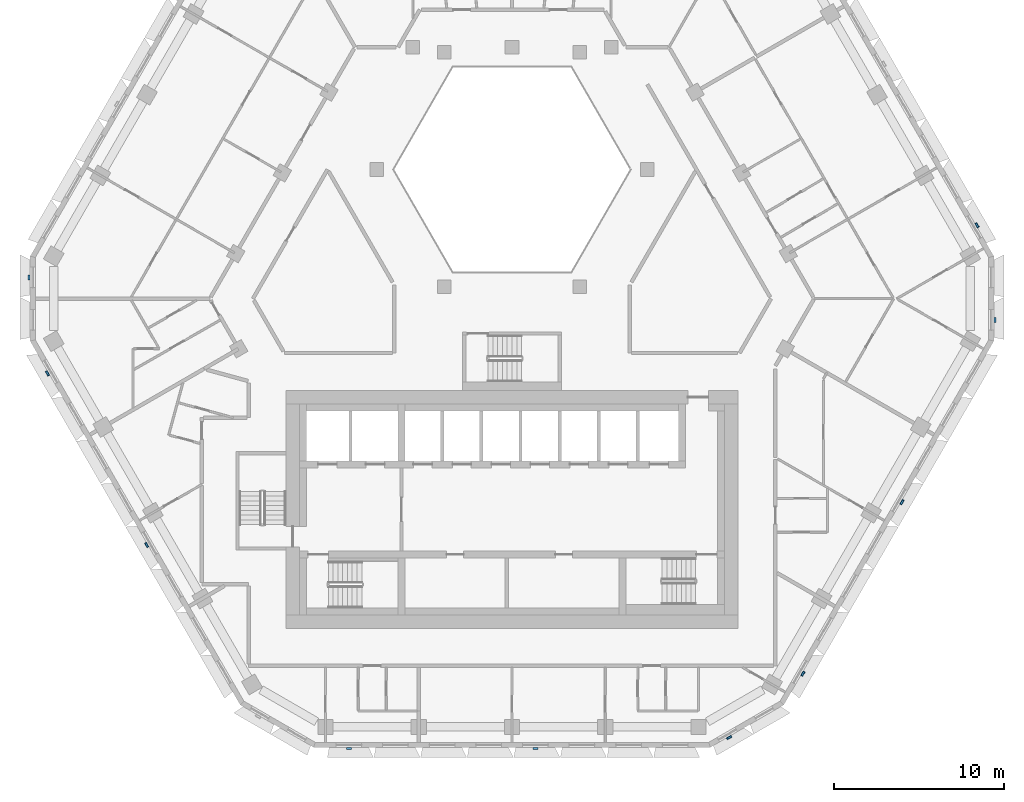
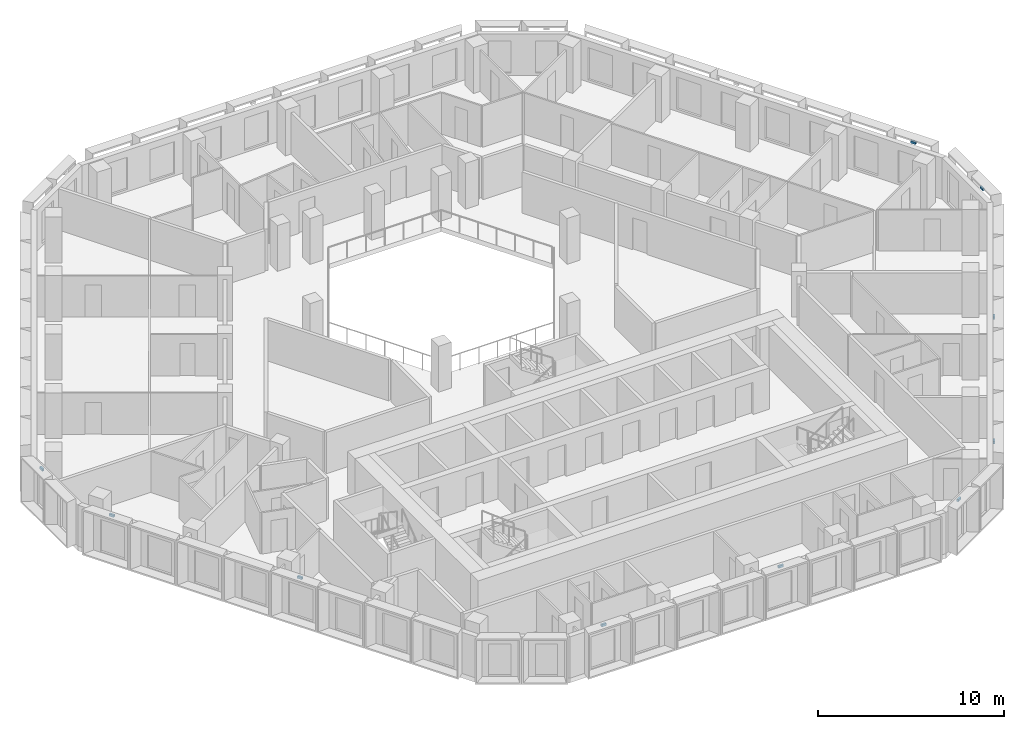
# One storey, part 10 of 17: 10 discrete accessories.
"""IFC4 building model written with IfcOpenShell, lengths in metres."""

import ifcopenshell
import ifcopenshell.guid

model = None  # the IFC model being written
_history = None  # IfcOwnerHistory: only IFC2X3 demands one
_inside = {}  # id of a spatial element -> (the spatial element, [elements in it])
_under = {}  # id of a project, library or spatial element -> (it, [spatial elements below it])
_declared = {}  # id of a project -> (the project, [libraries it declares])
_typed = {}  # id of a type object -> (the type object, [elements of that type])
_made_of = {}  # id of a material, layer set ... -> (it, [elements and type objects made of it])


def new_model(schema):
    """Start an empty IFC model of exactly this schema.

    Asked for "IFC4X3", IfcOpenShell would pick the latest addendum, in which some entities
    have other attributes; the version numbers below select the first issue.
    IFC2X3 requires an IfcOwnerHistory on every rooted entity: one is made here for all.
    """
    global model, _history
    if schema == "IFC4X3":
        model = ifcopenshell.file(schema_version=(4, 3, 0, 0))
    else:
        model = ifcopenshell.file(schema=schema)
    _inside.clear()
    _under.clear()
    _declared.clear()
    _typed.clear()
    _made_of.clear()
    _history = None
    if model.schema == "IFC2X3":
        org = make("IfcOrganization", Name="unknown")
        user = make(
            "IfcPersonAndOrganization",
            ThePerson=make("IfcPerson", FamilyName="unknown"),
            TheOrganization=org,
        )
        app = make(
            "IfcApplication",
            ApplicationDeveloper=org,
            Version="unknown",
            ApplicationFullName="unknown",
            ApplicationIdentifier="unknown",
        )
        _history = make(
            "IfcOwnerHistory",
            OwningUser=user,
            OwningApplication=app,
            ChangeAction="ADDED",
            CreationDate=0,
        )
    return model


def make(cls, **values):
    """One entity of the class cls with the attributes given. An attribute that is None is left unset."""
    return model.create_entity(
        cls, **{name: value for name, value in values.items() if value is not None}
    )


def rooted(cls, **values):
    """An entity with a GlobalId (a new one), such as an element, a storey or a relation."""
    return make(cls, GlobalId=ifcopenshell.guid.new(), OwnerHistory=_history, **values)


def si_unit(unit_type, name, prefix=None):
    """IfcSIUnit, for example si_unit("LENGTHUNIT", "METRE", prefix="MILLI")."""
    return make("IfcSIUnit", UnitType=unit_type, Prefix=prefix, Name=name)


def assignment(units):
    """IfcUnitAssignment: the units of a project."""
    return None if units is None else make("IfcUnitAssignment", Units=units)


def point(xyz):
    """IfcCartesianPoint."""
    return None if xyz is None else make("IfcCartesianPoint", Coordinates=xyz)


def direction(xyz):
    """IfcDirection."""
    return None if xyz is None else make("IfcDirection", DirectionRatios=xyz)


def frame(location, z_axis=None, x_axis=None):
    """IfcAxis2Placement3D, a coordinate frame: its origin and axes. An axis left out is left unset."""
    return make(
        "IfcAxis2Placement3D",
        Location=point(location),
        Axis=direction(z_axis),
        RefDirection=direction(x_axis),
    )


def origin():
    """The frame at (0, 0, 0) with its axes left unset."""
    return frame((0.0, 0.0, 0.0))


def place(relative_to, where):
    """IfcLocalPlacement: puts the frame where relative to a parent placement (None: the world)."""
    return make(
        "IfcLocalPlacement", PlacementRelTo=relative_to, RelativePlacement=where
    )


def context(
    kind, dimensions, precision=None, world=None, true_north=None, identifier=None
):
    """IfcGeometricRepresentationContext, for example the 3D "Model" context."""
    return make(
        "IfcGeometricRepresentationContext",
        ContextIdentifier=identifier,
        ContextType=kind,
        CoordinateSpaceDimension=dimensions,
        Precision=precision,
        WorldCoordinateSystem=world,
        TrueNorth=true_north,
    )


def subcontext(parent, identifier, kind, view, scale=None):
    """IfcGeometricRepresentationSubContext, for example "Body" below "Model"."""
    return make(
        "IfcGeometricRepresentationSubContext",
        ContextIdentifier=identifier,
        ContextType=kind,
        ParentContext=parent,
        TargetScale=scale,
        TargetView=view,
    )


def project(units=None, contexts=None):
    """IfcProject with its units and contexts."""
    return rooted(
        "IfcProject",
        Name="project",
        RepresentationContexts=contexts,
        UnitsInContext=assignment(units),
    )


def spatial(cls, under=None, at=None, **own):
    """A site, building, storey or space (cls), placed at a placement, below another one or the project."""
    s = rooted(cls, ObjectPlacement=at, **own)
    if under is not None:
        _under.setdefault(under.id(), (under, []))[1].append(s)
    return s


def polyline(points):
    """IfcPolyline through the points."""
    return make("IfcPolyline", Points=[point(p) for p in points])


def outline(outer, holes=None, kind="AREA"):
    """IfcArbitraryClosedProfileDef: a profile drawn as a closed curve; with holes, ...WithVoids."""
    if holes is None:
        return make("IfcArbitraryClosedProfileDef", ProfileType=kind, OuterCurve=outer)
    return make(
        "IfcArbitraryProfileDefWithVoids",
        ProfileType=kind,
        OuterCurve=outer,
        InnerCurves=holes,
    )


def extrude(swept, where, along, depth):
    """IfcExtrudedAreaSolid: the profile swept, set in the frame where, extruded along a direction by depth."""
    return make(
        "IfcExtrudedAreaSolid",
        SweptArea=swept,
        Position=where,
        ExtrudedDirection=direction(along),
        Depth=depth,
    )


def shape(context_of_items, identifier, shape_type, items):
    """IfcShapeRepresentation: the items that make up one representation, for example the "Body"."""
    return make(
        "IfcShapeRepresentation",
        ContextOfItems=context_of_items,
        RepresentationIdentifier=identifier,
        RepresentationType=shape_type,
        Items=items,
    )


def source(mapping_origin, context_of_items, identifier, shape_type, items):
    """IfcRepresentationMap: a shape defined once, which mapped items show again and again."""
    return make(
        "IfcRepresentationMap",
        MappingOrigin=mapping_origin,
        MappedRepresentation=shape(context_of_items, identifier, shape_type, items),
    )


def transform(
    local_origin,
    x_axis=None,
    y_axis=None,
    z_axis=None,
    scale=None,
    scale2=None,
    scale3=None,
    uniform=True,
):
    """IfcCartesianTransformationOperator3D, or its non-uniform kind. x_axis, y_axis, z_axis: its Axis1, 2, 3."""
    if uniform:
        return make(
            "IfcCartesianTransformationOperator3D",
            Axis1=direction(x_axis),
            Axis2=direction(y_axis),
            LocalOrigin=point(local_origin),
            Scale=scale,
            Axis3=direction(z_axis),
        )
    return make(
        "IfcCartesianTransformationOperator3DnonUniform",
        Axis1=direction(x_axis),
        Axis2=direction(y_axis),
        LocalOrigin=point(local_origin),
        Scale=scale,
        Axis3=direction(z_axis),
        Scale2=scale2,
        Scale3=scale3,
    )


def mapped(mapping_source, mapping_target):
    """IfcMappedItem: shows the shape of a source again, moved by a transform."""
    return make(
        "IfcMappedItem", MappingSource=mapping_source, MappingTarget=mapping_target
    )


def material(Name=None, Category=None):
    """IfcMaterial."""
    return make("IfcMaterial", Name=Name, Category=Category)


def made_of(thing, what):
    """Note that an element or type object is made of a material, layer set ...; save() writes the relation."""
    if what is not None:
        _made_of.setdefault(what.id(), (what, []))[1].append(thing)
    return thing


def type_object(cls, material=None, **own):
    """A type object (cls), such as IfcWallType, which elements share."""
    return made_of(rooted(cls, **own), material)


def type_shapes(of_type, sources):
    """Give a type object the sources (RepresentationMaps) that its elements show as mapped items."""
    of_type.RepresentationMaps = sources


def element(
    cls,
    number,
    at=None,
    inside=None,
    cuts=None,
    type_object=None,
    material=None,
    context=None,
    identifier="Body",
    shape_type=None,
    held_by="IfcProductDefinitionShape",
    body=None,
    shapes=None,
    **own,
):
    """One element of the class cls, such as IfcWall. Its Tag is "e" and its number.

    at: its placement. inside: the storey or other place that contains it. cuts: it is an
    opening in that element (IfcRelVoidsElement). A single representation is given by context,
    identifier, shape_type and body (its items); several are given by shapes. held_by: the class
    of the entity that holds the representations. save() writes the other relations.
    """
    e = rooted(cls, Tag="e%d" % number, ObjectPlacement=at, **own)
    if body is not None:
        shapes = [shape(context, identifier, shape_type, body)]
    if shapes is not None:
        e.Representation = make(held_by, Representations=shapes)
    if inside is not None:
        _inside.setdefault(inside.id(), (inside, []))[1].append(e)
    if cuts is not None:
        rooted(
            "IfcRelVoidsElement", RelatingBuildingElement=cuts, RelatedOpeningElement=e
        )
    if type_object is not None:
        _typed.setdefault(type_object.id(), (type_object, []))[1].append(e)
    return made_of(e, material)


def aggregate(whole, parts):
    """IfcRelAggregates: a whole, such as a stair, and the parts it consists of."""
    return rooted("IfcRelAggregates", RelatingObject=whole, RelatedObjects=parts)


def save(model, path):
    """Write the relations noted so far, then the file.

    IfcRelAggregates (storeys below a building ...), IfcRelContainedInSpatialStructure (elements
    in a storey), IfcRelDefinesByType, IfcRelAssociatesMaterial and IfcRelDeclares: one each for
    every whole, place, type object, material and project.
    """
    for whole, parts in _under.values():
        aggregate(whole, parts)
    for where, things in _inside.values():
        rooted(
            "IfcRelContainedInSpatialStructure",
            RelatedElements=things,
            RelatingStructure=where,
        )
    for kind, things in _typed.values():
        rooted("IfcRelDefinesByType", RelatedObjects=things, RelatingType=kind)
    for what, things in _made_of.values():
        rooted("IfcRelAssociatesMaterial", RelatedObjects=things, RelatingMaterial=what)
    for by, libraries in _declared.values():
        rooted("IfcRelDeclares", RelatingContext=by, RelatedDefinitions=libraries)
    model.write(path)


model = new_model("IFC4")

# Units and contexts
model_context = context("Model", 3, precision=1e-05, world=origin(), true_north=direction((0.0, 1.0)))
body_context = subcontext(model_context, "Body", "Model", "MODEL_VIEW")
ifc_project = project(units=[si_unit("LENGTHUNIT", "METRE"), si_unit("AREAUNIT", "SQUARE_METRE"), si_unit("VOLUMEUNIT", "CUBIC_METRE"), si_unit("PLANEANGLEUNIT", "RADIAN"), si_unit("MASSUNIT", "GRAM", prefix="KILO")], contexts=[model_context])

# Site, building, storey
site_placement = place(None, origin())
site = spatial("IfcSite", under=ifc_project, at=site_placement, CompositionType="ELEMENT")
building_placement = place(site_placement, origin())
building = spatial("IfcBuilding", under=site, at=building_placement, Name="Beryl Residences", CompositionType="ELEMENT")
storey_placement = place(building_placement, frame((0.0, 0.0, 144.60009765625)))
storey = spatial("IfcBuildingStorey", under=building, at=storey_placement, Name="L44", CompositionType="ELEMENT", Elevation=144.60009765625)

# Discrete accessories
ifc_material = material(Name="Steel S355", Category="steel")
discrete_accessory_type = type_object("IfcDiscreteAccessoryType", Name="BR1 frame bracket 300 x 120 x 150 mm", PredefinedType="BRACKET", material=ifc_material)
shared_shape = source(origin(), body_context, "Body", "SweptSolid", [
    extrude(outline(polyline([(-0.14990234375, 0.0), (0.14990234375, 0.0), (0.14990234375, 0.1201171875), (-0.14990234375, 0.1201171875), (-0.14990234375, 0.0)])), origin(), (0.0, 0.0, 1.0), 0.14990234375),
])
type_shapes(discrete_accessory_type, [shared_shape])
for number, where, z_axis, x_axis, name in (
    (1, (-28.347900390625, 1.64990234375, 2.75), (0.0, 0.0, 1.0), (0.0, 1.0, 0.0), "BR1 bracket L44 NW-SW 1"),
    (2, (-27.27294921875, -3.9619140625, 2.75), (0.0, 0.0, 1.0), (-0.5, 0.866025403784, 0.0), "BR1 bracket L44 SW 1"),
    (3, (-21.44189453125, -14.06201171875, 2.75), (0.0, 0.0, 1.0), (-0.5, 0.866025403784, 0.0), "BR1 bracket L44 SW 5"),
    (4, (-9.597900390625, -26.0, 2.75), (0.0, 0.0, 1.0), (-1.0, 0.0, 0.0), "BR1 bracket L44 S 1"),
    (5, (1.3720703125, -26.0, 2.75), (0.0, 0.0, 1.0), (-1.0, 0.0, 0.0), "BR1 bracket L44 S 5"),
    (6, (12.7451171875, -25.375, 2.75), (0.0, 0.0, 1.0), (-0.866025403784, -0.5, 0.0), "BR1 bracket L44 S-SE 1"),
    (7, (17.06689453125, -21.637939453125, 2.75), (0.0, 0.0, 1.0), (-0.5, -0.866025403784, 0.0), "BR1 bracket L44 SE 1"),
    (8, (22.89794921875, -11.5380859375, 2.75), (0.0, 0.0, 1.0), (-0.5, -0.866025403784, 0.0), "BR1 bracket L44 SE 5"),
    (9, (28.347900390625, -0.85009765625, 2.75), (0.0, 0.0, 1.0), (0.0, -1.0, 0.0), "BR1 bracket L44 SE-NE 1"),
    (10, (27.31591796875, 4.68701171875, 2.75), (0.0, 0.0, 1.0), (0.5, -0.866025403784, 0.0), "BR1 bracket L44 NE 1"),
):
    element("IfcDiscreteAccessory", number, at=place(storey_placement, frame(where, z_axis=z_axis, x_axis=x_axis)), inside=storey, type_object=discrete_accessory_type, Name=name, PredefinedType="BRACKET", context=body_context, shape_type="MappedRepresentation", body=[
        mapped(shared_shape, transform((0.0, 0.0, 0.0))),
    ])

save(model, "model.ifc")
